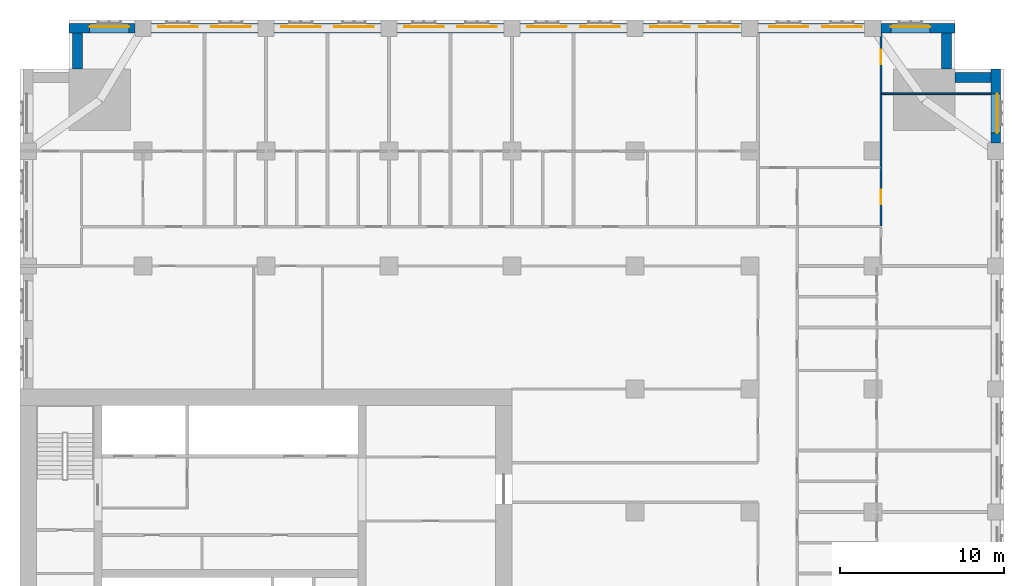
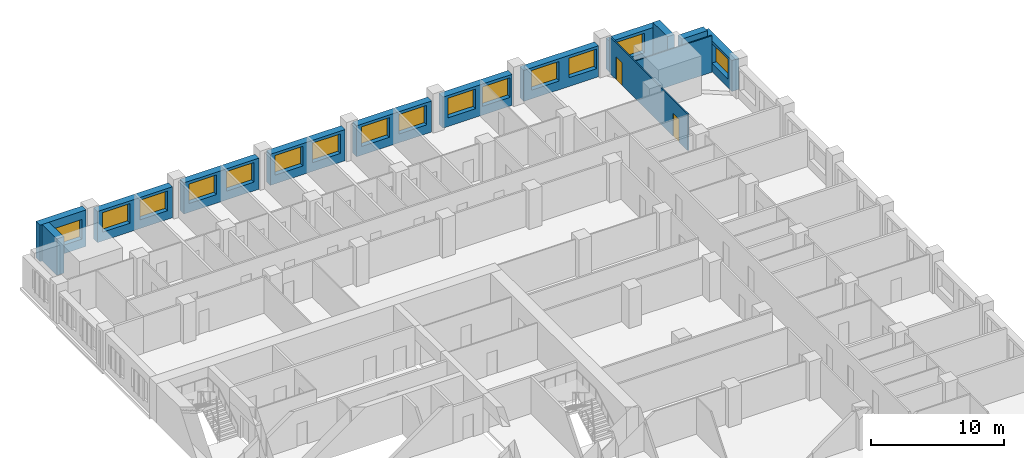
# One storey, part 12 of 15: 15 windows, 14 walls, 2 doors, 17 openings.
"""IFC4 building model written with IfcOpenShell, lengths in metres."""

from ifc_helpers import new_model, si_unit, direction, frame, frame_2d, origin, place, context, subcontext, project, spatial, rectangle, extrude, material, layer, layer_set, type_object, element, fill, save


model = new_model("IFC4")

# Units and contexts
model_context = context("Model", 3, precision=1e-05, world=origin(), true_north=direction((0.0, 1.0)))
body_context = subcontext(model_context, "Body", "Model", "MODEL_VIEW")
ifc_project = project(units=[si_unit("LENGTHUNIT", "METRE"), si_unit("AREAUNIT", "SQUARE_METRE"), si_unit("VOLUMEUNIT", "CUBIC_METRE"), si_unit("PLANEANGLEUNIT", "RADIAN"), si_unit("MASSUNIT", "GRAM", prefix="KILO")], contexts=[model_context])

# Site, building, storey
site_placement = place(None, origin())
site = spatial("IfcSite", under=ifc_project, at=site_placement, CompositionType="ELEMENT")
building_placement = place(site_placement, origin())
building = spatial("IfcBuilding", under=site, at=building_placement, Name="Tamorin Gate", CompositionType="ELEMENT")
storey_placement = place(building_placement, frame((0.0, 0.0, 97.10009765625)))
storey = spatial("IfcBuildingStorey", under=building, at=storey_placement, Name="L23", CompositionType="ELEMENT", Elevation=97.10009765625)

# Wall, opening, window
ifc_material_1 = material(Name="Precast concrete C40/50", Category="concrete")
ifc_layer_1 = layer(ifc_material_1, 0.60009765625)
ifc_layer_set_1 = layer_set([ifc_layer_1], Name="Precast concrete C40/50")
wall_type_1 = type_object("IfcWallType", Name="Board-marked concrete facade panel 600", PredefinedType="SOLIDWALL", material=ifc_layer_set_1)
wall_1_placement = place(storey_placement, frame((89.5, 97.5, 0.0), z_axis=(0.0, 0.0, 1.0), x_axis=(0.0, 1.0, 0.0)))
wall_1 = element("IfcWall", 1, at=wall_1_placement, inside=storey, type_object=wall_type_1, Name="Facade panel", PredefinedType="SOLIDWALL", context=body_context, shape_type="SweptSolid", body=[
    extrude(rectangle(XDim=4.5, YDim=0.60009765625, at=frame_2d((2.25, 0.0))), origin(), (0.0, 0.0, 1.0), 2.849853515625),
])
opening_1_placement = place(wall_1_placement, frame((0.60009765625, 0.0, 0.800048828125)))
opening_1 = element("IfcOpeningElement", 2, at=opening_1_placement, cuts=wall_1, Name="Opening WN1", PredefinedType="OPENING", context=body_context, shape_type="SweptSolid", body=[
    extrude(rectangle(XDim=2.39990234375, YDim=1.800048828125, at=frame_2d((1.199951171875, 0.89990234375))), frame((0.0, 0.31005859375, 0.0), z_axis=(0.0, -1.0, 0.0), x_axis=(1.0, 0.0, 0.0)), (0.0, 0.0, 1.0), 0.6201171875),
])
ifc_material_2 = material(Name="Clear glass in aluminium frame", Category="aluminium")
window_type = type_object("IfcWindowType", Name="Deep-set window 2400x1800", PartitioningType="SINGLE_PANEL", PredefinedType="WINDOW", material=ifc_material_2)
window_1_placement = place(opening_1_placement, origin())
window_1 = element("IfcWindow", 3, at=window_1_placement, inside=storey, type_object=window_type, Name="Deep-set window", OverallHeight=1.800048828125, OverallWidth=2.39990234375, PartitioningType="SINGLE_PANEL", PredefinedType="WINDOW", context=body_context, shape_type="SweptSolid", body=[
    extrude(rectangle(XDim=2.39990234375, YDim=1.800048828125, at=frame_2d((1.199951171875, 0.89990234375))), frame((0.0, -0.070068359375, 0.0), z_axis=(0.0, -1.0, 0.0), x_axis=(1.0, 0.0, 0.0)), (0.0, 0.0, 1.0), 0.06005859375),
])
fill(opening_1, window_1)

# Walls
for number, where, z_axis, x_axis, name in (
    (4, (89.199951171875, 101.5, 0.0), (0.0, 0.0, 1.0), (-1.0, 0.0, 0.0), "Facade panel"),
    (5, (86.5, 102.0, 0.0), (0.0, 0.0, 1.0), (0.0, 1.0, 0.0), "Facade panel"),
):
    element("IfcWall", number, at=place(storey_placement, frame(where, z_axis=z_axis, x_axis=x_axis)), inside=storey, type_object=wall_type_1, Name=name, PredefinedType="SOLIDWALL", context=body_context, shape_type="SweptSolid", body=[
        extrude(rectangle(XDim=2.199951171875, YDim=0.60009765625, at=frame_2d((1.10009765625, 0.0))), origin(), (0.0, 0.0, 1.0), 3.349853515625),
    ])

# Wall, opening, window
wall_2_placement = place(storey_placement, frame((87.0, 104.5, 0.0), z_axis=(0.0, 0.0, 1.0), x_axis=(-1.0, 0.0, 0.0)))
wall_2 = element("IfcWall", 6, at=wall_2_placement, inside=storey, type_object=wall_type_1, Name="Facade panel", PredefinedType="SOLIDWALL", context=body_context, shape_type="SweptSolid", body=[
    extrude(rectangle(XDim=4.5, YDim=0.60009765625, at=frame_2d((2.25, 0.0))), origin(), (0.0, 0.0, 1.0), 2.849853515625),
])
opening_2_placement = place(wall_2_placement, frame((1.5, 0.0, 0.800048828125)))
opening_2 = element("IfcOpeningElement", 7, at=opening_2_placement, cuts=wall_2, Name="Opening WN1", PredefinedType="OPENING", context=body_context, shape_type="SweptSolid", body=[
    extrude(rectangle(XDim=2.39990234375, YDim=1.800048828125, at=frame_2d((1.199951171875, 0.89990234375))), frame((0.0, 0.31005859375, 0.0), z_axis=(0.0, -1.0, 0.0), x_axis=(1.0, 0.0, 0.0)), (0.0, 0.0, 1.0), 0.6201171875),
])
window_2_placement = place(opening_2_placement, origin())
window_2 = element("IfcWindow", 8, at=window_2_placement, inside=storey, type_object=window_type, Name="Deep-set window", OverallHeight=1.800048828125, OverallWidth=2.39990234375, PartitioningType="SINGLE_PANEL", PredefinedType="WINDOW", context=body_context, shape_type="SweptSolid", body=[
    extrude(rectangle(XDim=2.39990234375, YDim=1.800048828125, at=frame_2d((1.199951171875, 0.89990234375))), frame((0.0, -0.070068359375, 0.0), z_axis=(0.0, -1.0, 0.0), x_axis=(1.0, 0.0, 0.0)), (0.0, 0.0, 1.0), 0.06005859375),
])
fill(opening_2, window_2)

# Wall, openings, windows
wall_3_placement = place(storey_placement, frame((81.5, 104.5, 0.0), z_axis=(0.0, 0.0, 1.0), x_axis=(-1.0, 0.0, 0.0)))
wall_3 = element("IfcWall", 9, at=wall_3_placement, inside=storey, type_object=wall_type_1, Name="Facade panel", PredefinedType="SOLIDWALL", context=body_context, shape_type="SweptSolid", body=[
    extrude(rectangle(XDim=6.5, YDim=0.60009765625, at=frame_2d((3.25, 0.0))), origin(), (0.0, 0.0, 1.0), 2.849853515625),
])
opening_3_placement = place(wall_3_placement, frame((3.425048828125, 0.0, 0.800048828125)))
opening_3 = element("IfcOpeningElement", 10, at=opening_3_placement, cuts=wall_3, Name="Opening WN1", PredefinedType="OPENING", context=body_context, shape_type="SweptSolid", body=[
    extrude(rectangle(XDim=2.39990234375, YDim=1.800048828125, at=frame_2d((1.199951171875, 0.89990234375))), frame((0.0, 0.31005859375, 0.0), z_axis=(0.0, -1.0, 0.0), x_axis=(1.0, 0.0, 0.0)), (0.0, 0.0, 1.0), 0.6201171875),
])
opening_4_placement = place(wall_3_placement, frame((0.175048828125, 0.0, 0.800048828125)))
opening_4 = element("IfcOpeningElement", 11, at=opening_4_placement, cuts=wall_3, Name="Opening WN1", PredefinedType="OPENING", context=body_context, shape_type="SweptSolid", body=[
    extrude(rectangle(XDim=2.39990234375, YDim=1.800048828125, at=frame_2d((1.199951171875, 0.89990234375))), frame((0.0, 0.31005859375, 0.0), z_axis=(0.0, -1.0, 0.0), x_axis=(1.0, 0.0, 0.0)), (0.0, 0.0, 1.0), 0.6201171875),
])
window_3_placement = place(opening_3_placement, origin())
window_3 = element("IfcWindow", 12, at=window_3_placement, inside=storey, type_object=window_type, Name="Deep-set window", OverallHeight=1.800048828125, OverallWidth=2.39990234375, PartitioningType="SINGLE_PANEL", PredefinedType="WINDOW", context=body_context, shape_type="SweptSolid", body=[
    extrude(rectangle(XDim=2.39990234375, YDim=1.800048828125, at=frame_2d((1.199951171875, 0.89990234375))), frame((0.0, -0.070068359375, 0.0), z_axis=(0.0, -1.0, 0.0), x_axis=(1.0, 0.0, 0.0)), (0.0, 0.0, 1.0), 0.06005859375),
])
fill(opening_3, window_3)
window_4_placement = place(opening_4_placement, origin())
window_4 = element("IfcWindow", 13, at=window_4_placement, inside=storey, type_object=window_type, Name="Deep-set window", OverallHeight=1.800048828125, OverallWidth=2.39990234375, PartitioningType="SINGLE_PANEL", PredefinedType="WINDOW", context=body_context, shape_type="SweptSolid", body=[
    extrude(rectangle(XDim=2.39990234375, YDim=1.800048828125, at=frame_2d((1.199951171875, 0.89990234375))), frame((0.0, -0.070068359375, 0.0), z_axis=(0.0, -1.0, 0.0), x_axis=(1.0, 0.0, 0.0)), (0.0, 0.0, 1.0), 0.06005859375),
])
fill(opening_4, window_4)

wall_4_placement = place(storey_placement, frame((74.0, 104.5, 0.0), z_axis=(0.0, 0.0, 1.0), x_axis=(-1.0, 0.0, 0.0)))
wall_4 = element("IfcWall", 14, at=wall_4_placement, inside=storey, type_object=wall_type_1, Name="Facade panel", PredefinedType="SOLIDWALL", context=body_context, shape_type="SweptSolid", body=[
    extrude(rectangle(XDim=6.0, YDim=0.60009765625, at=frame_2d((3.0, 0.0))), origin(), (0.0, 0.0, 1.0), 2.849853515625),
])
opening_5_placement = place(wall_4_placement, frame((3.175048828125, 0.0, 0.800048828125)))
opening_5 = element("IfcOpeningElement", 15, at=opening_5_placement, cuts=wall_4, Name="Opening WN1", PredefinedType="OPENING", context=body_context, shape_type="SweptSolid", body=[
    extrude(rectangle(XDim=2.39990234375, YDim=1.800048828125, at=frame_2d((1.199951171875, 0.89990234375))), frame((0.0, 0.31005859375, 0.0), z_axis=(0.0, -1.0, 0.0), x_axis=(1.0, 0.0, 0.0)), (0.0, 0.0, 1.0), 0.6201171875),
])
opening_6_placement = place(wall_4_placement, frame((0.175048828125, 0.0, 0.800048828125)))
opening_6 = element("IfcOpeningElement", 16, at=opening_6_placement, cuts=wall_4, Name="Opening WN1", PredefinedType="OPENING", context=body_context, shape_type="SweptSolid", body=[
    extrude(rectangle(XDim=2.39990234375, YDim=1.800048828125, at=frame_2d((1.199951171875, 0.89990234375))), frame((0.0, 0.31005859375, 0.0), z_axis=(0.0, -1.0, 0.0), x_axis=(1.0, 0.0, 0.0)), (0.0, 0.0, 1.0), 0.6201171875),
])
window_5_placement = place(opening_5_placement, origin())
window_5 = element("IfcWindow", 17, at=window_5_placement, inside=storey, type_object=window_type, Name="Deep-set window", OverallHeight=1.800048828125, OverallWidth=2.39990234375, PartitioningType="SINGLE_PANEL", PredefinedType="WINDOW", context=body_context, shape_type="SweptSolid", body=[
    extrude(rectangle(XDim=2.39990234375, YDim=1.800048828125, at=frame_2d((1.199951171875, 0.89990234375))), frame((0.0, -0.070068359375, 0.0), z_axis=(0.0, -1.0, 0.0), x_axis=(1.0, 0.0, 0.0)), (0.0, 0.0, 1.0), 0.06005859375),
])
fill(opening_5, window_5)
window_6_placement = place(opening_6_placement, origin())
window_6 = element("IfcWindow", 18, at=window_6_placement, inside=storey, type_object=window_type, Name="Deep-set window", OverallHeight=1.800048828125, OverallWidth=2.39990234375, PartitioningType="SINGLE_PANEL", PredefinedType="WINDOW", context=body_context, shape_type="SweptSolid", body=[
    extrude(rectangle(XDim=2.39990234375, YDim=1.800048828125, at=frame_2d((1.199951171875, 0.89990234375))), frame((0.0, -0.070068359375, 0.0), z_axis=(0.0, -1.0, 0.0), x_axis=(1.0, 0.0, 0.0)), (0.0, 0.0, 1.0), 0.06005859375),
])
fill(opening_6, window_6)

wall_5_placement = place(storey_placement, frame((67.0, 104.5, 0.0), z_axis=(0.0, 0.0, 1.0), x_axis=(-1.0, 0.0, 0.0)))
wall_5 = element("IfcWall", 19, at=wall_5_placement, inside=storey, type_object=wall_type_1, Name="Facade panel", PredefinedType="SOLIDWALL", context=body_context, shape_type="SweptSolid", body=[
    extrude(rectangle(XDim=6.5, YDim=0.60009765625, at=frame_2d((3.25, 0.0))), origin(), (0.0, 0.0, 1.0), 2.849853515625),
])
opening_7_placement = place(wall_5_placement, frame((3.675048828125, 0.0, 0.800048828125)))
opening_7 = element("IfcOpeningElement", 20, at=opening_7_placement, cuts=wall_5, Name="Opening WN1", PredefinedType="OPENING", context=body_context, shape_type="SweptSolid", body=[
    extrude(rectangle(XDim=2.39990234375, YDim=1.800048828125, at=frame_2d((1.199951171875, 0.89990234375))), frame((0.0, 0.31005859375, 0.0), z_axis=(0.0, -1.0, 0.0), x_axis=(1.0, 0.0, 0.0)), (0.0, 0.0, 1.0), 0.6201171875),
])
opening_8_placement = place(wall_5_placement, frame((0.425048828125, 0.0, 0.800048828125)))
opening_8 = element("IfcOpeningElement", 21, at=opening_8_placement, cuts=wall_5, Name="Opening WN1", PredefinedType="OPENING", context=body_context, shape_type="SweptSolid", body=[
    extrude(rectangle(XDim=2.39990234375, YDim=1.800048828125, at=frame_2d((1.199951171875, 0.89990234375))), frame((0.0, 0.31005859375, 0.0), z_axis=(0.0, -1.0, 0.0), x_axis=(1.0, 0.0, 0.0)), (0.0, 0.0, 1.0), 0.6201171875),
])
window_7_placement = place(opening_7_placement, origin())
window_7 = element("IfcWindow", 22, at=window_7_placement, inside=storey, type_object=window_type, Name="Deep-set window", OverallHeight=1.800048828125, OverallWidth=2.39990234375, PartitioningType="SINGLE_PANEL", PredefinedType="WINDOW", context=body_context, shape_type="SweptSolid", body=[
    extrude(rectangle(XDim=2.39990234375, YDim=1.800048828125, at=frame_2d((1.199951171875, 0.89990234375))), frame((0.0, -0.070068359375, 0.0), z_axis=(0.0, -1.0, 0.0), x_axis=(1.0, 0.0, 0.0)), (0.0, 0.0, 1.0), 0.06005859375),
])
fill(opening_7, window_7)
window_8_placement = place(opening_8_placement, origin())
window_8 = element("IfcWindow", 23, at=window_8_placement, inside=storey, type_object=window_type, Name="Deep-set window", OverallHeight=1.800048828125, OverallWidth=2.39990234375, PartitioningType="SINGLE_PANEL", PredefinedType="WINDOW", context=body_context, shape_type="SweptSolid", body=[
    extrude(rectangle(XDim=2.39990234375, YDim=1.800048828125, at=frame_2d((1.199951171875, 0.89990234375))), frame((0.0, -0.070068359375, 0.0), z_axis=(0.0, -1.0, 0.0), x_axis=(1.0, 0.0, 0.0)), (0.0, 0.0, 1.0), 0.06005859375),
])
fill(opening_8, window_8)

wall_6_placement = place(storey_placement, frame((59.5, 104.5, 0.0), z_axis=(0.0, 0.0, 1.0), x_axis=(-1.0, 0.0, 0.0)))
wall_6 = element("IfcWall", 24, at=wall_6_placement, inside=storey, type_object=wall_type_1, Name="Facade panel", PredefinedType="SOLIDWALL", context=body_context, shape_type="SweptSolid", body=[
    extrude(rectangle(XDim=6.5, YDim=0.60009765625, at=frame_2d((3.25, 0.0))), origin(), (0.0, 0.0, 1.0), 2.849853515625),
])
opening_9_placement = place(wall_6_placement, frame((3.675048828125, 0.0, 0.800048828125)))
opening_9 = element("IfcOpeningElement", 25, at=opening_9_placement, cuts=wall_6, Name="Opening WN1", PredefinedType="OPENING", context=body_context, shape_type="SweptSolid", body=[
    extrude(rectangle(XDim=2.39990234375, YDim=1.800048828125, at=frame_2d((1.199951171875, 0.89990234375))), frame((0.0, 0.31005859375, 0.0), z_axis=(0.0, -1.0, 0.0), x_axis=(1.0, 0.0, 0.0)), (0.0, 0.0, 1.0), 0.6201171875),
])
opening_10_placement = place(wall_6_placement, frame((0.425048828125, 0.0, 0.800048828125)))
opening_10 = element("IfcOpeningElement", 26, at=opening_10_placement, cuts=wall_6, Name="Opening WN1", PredefinedType="OPENING", context=body_context, shape_type="SweptSolid", body=[
    extrude(rectangle(XDim=2.39990234375, YDim=1.800048828125, at=frame_2d((1.199951171875, 0.89990234375))), frame((0.0, 0.31005859375, 0.0), z_axis=(0.0, -1.0, 0.0), x_axis=(1.0, 0.0, 0.0)), (0.0, 0.0, 1.0), 0.6201171875),
])
window_9_placement = place(opening_9_placement, origin())
window_9 = element("IfcWindow", 27, at=window_9_placement, inside=storey, type_object=window_type, Name="Deep-set window", OverallHeight=1.800048828125, OverallWidth=2.39990234375, PartitioningType="SINGLE_PANEL", PredefinedType="WINDOW", context=body_context, shape_type="SweptSolid", body=[
    extrude(rectangle(XDim=2.39990234375, YDim=1.800048828125, at=frame_2d((1.199951171875, 0.89990234375))), frame((0.0, -0.070068359375, 0.0), z_axis=(0.0, -1.0, 0.0), x_axis=(1.0, 0.0, 0.0)), (0.0, 0.0, 1.0), 0.06005859375),
])
fill(opening_9, window_9)
window_10_placement = place(opening_10_placement, origin())
window_10 = element("IfcWindow", 28, at=window_10_placement, inside=storey, type_object=window_type, Name="Deep-set window", OverallHeight=1.800048828125, OverallWidth=2.39990234375, PartitioningType="SINGLE_PANEL", PredefinedType="WINDOW", context=body_context, shape_type="SweptSolid", body=[
    extrude(rectangle(XDim=2.39990234375, YDim=1.800048828125, at=frame_2d((1.199951171875, 0.89990234375))), frame((0.0, -0.070068359375, 0.0), z_axis=(0.0, -1.0, 0.0), x_axis=(1.0, 0.0, 0.0)), (0.0, 0.0, 1.0), 0.06005859375),
])
fill(opening_10, window_10)

wall_7_placement = place(storey_placement, frame((52.0, 104.5, 0.0), z_axis=(0.0, 0.0, 1.0), x_axis=(-1.0, 0.0, 0.0)))
wall_7 = element("IfcWall", 29, at=wall_7_placement, inside=storey, type_object=wall_type_1, Name="Facade panel", PredefinedType="SOLIDWALL", context=body_context, shape_type="SweptSolid", body=[
    extrude(rectangle(XDim=6.5, YDim=0.60009765625, at=frame_2d((3.25, 0.0))), origin(), (0.0, 0.0, 1.0), 2.849853515625),
])
opening_11_placement = place(wall_7_placement, frame((3.675048828125, 0.0, 0.800048828125)))
opening_11 = element("IfcOpeningElement", 30, at=opening_11_placement, cuts=wall_7, Name="Opening WN1", PredefinedType="OPENING", context=body_context, shape_type="SweptSolid", body=[
    extrude(rectangle(XDim=2.39990234375, YDim=1.800048828125, at=frame_2d((1.199951171875, 0.89990234375))), frame((0.0, 0.31005859375, 0.0), z_axis=(0.0, -1.0, 0.0), x_axis=(1.0, 0.0, 0.0)), (0.0, 0.0, 1.0), 0.6201171875),
])
opening_12_placement = place(wall_7_placement, frame((0.425048828125, 0.0, 0.800048828125)))
opening_12 = element("IfcOpeningElement", 31, at=opening_12_placement, cuts=wall_7, Name="Opening WN1", PredefinedType="OPENING", context=body_context, shape_type="SweptSolid", body=[
    extrude(rectangle(XDim=2.39990234375, YDim=1.800048828125, at=frame_2d((1.199951171875, 0.89990234375))), frame((0.0, 0.31005859375, 0.0), z_axis=(0.0, -1.0, 0.0), x_axis=(1.0, 0.0, 0.0)), (0.0, 0.0, 1.0), 0.6201171875),
])
window_11_placement = place(opening_11_placement, origin())
window_11 = element("IfcWindow", 32, at=window_11_placement, inside=storey, type_object=window_type, Name="Deep-set window", OverallHeight=1.800048828125, OverallWidth=2.39990234375, PartitioningType="SINGLE_PANEL", PredefinedType="WINDOW", context=body_context, shape_type="SweptSolid", body=[
    extrude(rectangle(XDim=2.39990234375, YDim=1.800048828125, at=frame_2d((1.199951171875, 0.89990234375))), frame((0.0, -0.070068359375, 0.0), z_axis=(0.0, -1.0, 0.0), x_axis=(1.0, 0.0, 0.0)), (0.0, 0.0, 1.0), 0.06005859375),
])
fill(opening_11, window_11)
window_12_placement = place(opening_12_placement, origin())
window_12 = element("IfcWindow", 33, at=window_12_placement, inside=storey, type_object=window_type, Name="Deep-set window", OverallHeight=1.800048828125, OverallWidth=2.39990234375, PartitioningType="SINGLE_PANEL", PredefinedType="WINDOW", context=body_context, shape_type="SweptSolid", body=[
    extrude(rectangle(XDim=2.39990234375, YDim=1.800048828125, at=frame_2d((1.199951171875, 0.89990234375))), frame((0.0, -0.070068359375, 0.0), z_axis=(0.0, -1.0, 0.0), x_axis=(1.0, 0.0, 0.0)), (0.0, 0.0, 1.0), 0.06005859375),
])
fill(opening_12, window_12)

wall_8_placement = place(storey_placement, frame((44.5, 104.5, 0.0), z_axis=(0.0, 0.0, 1.0), x_axis=(-1.0, 0.0, 0.0)))
wall_8 = element("IfcWall", 34, at=wall_8_placement, inside=storey, type_object=wall_type_1, Name="Facade panel", PredefinedType="SOLIDWALL", context=body_context, shape_type="SweptSolid", body=[
    extrude(rectangle(XDim=6.5, YDim=0.60009765625, at=frame_2d((3.25, 0.0))), origin(), (0.0, 0.0, 1.0), 2.849853515625),
])
opening_13_placement = place(wall_8_placement, frame((3.675048828125, 0.0, 0.800048828125)))
opening_13 = element("IfcOpeningElement", 35, at=opening_13_placement, cuts=wall_8, Name="Opening WN1", PredefinedType="OPENING", context=body_context, shape_type="SweptSolid", body=[
    extrude(rectangle(XDim=2.39990234375, YDim=1.800048828125, at=frame_2d((1.199951171875, 0.89990234375))), frame((0.0, 0.31005859375, 0.0), z_axis=(0.0, -1.0, 0.0), x_axis=(1.0, 0.0, 0.0)), (0.0, 0.0, 1.0), 0.6201171875),
])
opening_14_placement = place(wall_8_placement, frame((0.425048828125, 0.0, 0.800048828125)))
opening_14 = element("IfcOpeningElement", 36, at=opening_14_placement, cuts=wall_8, Name="Opening WN1", PredefinedType="OPENING", context=body_context, shape_type="SweptSolid", body=[
    extrude(rectangle(XDim=2.39990234375, YDim=1.800048828125, at=frame_2d((1.199951171875, 0.89990234375))), frame((0.0, 0.31005859375, 0.0), z_axis=(0.0, -1.0, 0.0), x_axis=(1.0, 0.0, 0.0)), (0.0, 0.0, 1.0), 0.6201171875),
])
window_13_placement = place(opening_13_placement, origin())
window_13 = element("IfcWindow", 37, at=window_13_placement, inside=storey, type_object=window_type, Name="Deep-set window", OverallHeight=1.800048828125, OverallWidth=2.39990234375, PartitioningType="SINGLE_PANEL", PredefinedType="WINDOW", context=body_context, shape_type="SweptSolid", body=[
    extrude(rectangle(XDim=2.39990234375, YDim=1.800048828125, at=frame_2d((1.199951171875, 0.89990234375))), frame((0.0, -0.070068359375, 0.0), z_axis=(0.0, -1.0, 0.0), x_axis=(1.0, 0.0, 0.0)), (0.0, 0.0, 1.0), 0.06005859375),
])
fill(opening_13, window_13)
window_14_placement = place(opening_14_placement, origin())
window_14 = element("IfcWindow", 38, at=window_14_placement, inside=storey, type_object=window_type, Name="Deep-set window", OverallHeight=1.800048828125, OverallWidth=2.39990234375, PartitioningType="SINGLE_PANEL", PredefinedType="WINDOW", context=body_context, shape_type="SweptSolid", body=[
    extrude(rectangle(XDim=2.39990234375, YDim=1.800048828125, at=frame_2d((1.199951171875, 0.89990234375))), frame((0.0, -0.070068359375, 0.0), z_axis=(0.0, -1.0, 0.0), x_axis=(1.0, 0.0, 0.0)), (0.0, 0.0, 1.0), 0.06005859375),
])
fill(opening_14, window_14)

# Wall, opening, window
wall_9_placement = place(storey_placement, frame((37.0, 104.5, 0.0), z_axis=(0.0, 0.0, 1.0), x_axis=(-1.0, 0.0, 0.0)))
wall_9 = element("IfcWall", 39, at=wall_9_placement, inside=storey, type_object=wall_type_1, Name="Facade panel", PredefinedType="SOLIDWALL", context=body_context, shape_type="SweptSolid", body=[
    extrude(rectangle(XDim=4.0, YDim=0.60009765625, at=frame_2d((2.0, 0.0))), origin(), (0.0, 0.0, 1.0), 3.349853515625),
])
opening_15_placement = place(wall_9_placement, frame((0.35009765625, 0.0, 0.800048828125)))
opening_15 = element("IfcOpeningElement", 40, at=opening_15_placement, cuts=wall_9, Name="Opening WN1", PredefinedType="OPENING", context=body_context, shape_type="SweptSolid", body=[
    extrude(rectangle(XDim=2.39990234375, YDim=1.800048828125, at=frame_2d((1.199951171875, 0.89990234375))), frame((0.0, 0.31005859375, 0.0), z_axis=(0.0, -1.0, 0.0), x_axis=(1.0, 0.0, 0.0)), (0.0, 0.0, 1.0), 0.6201171875),
])
window_15_placement = place(opening_15_placement, origin())
window_15 = element("IfcWindow", 41, at=window_15_placement, inside=storey, type_object=window_type, Name="Deep-set window", OverallHeight=1.800048828125, OverallWidth=2.39990234375, PartitioningType="SINGLE_PANEL", PredefinedType="WINDOW", context=body_context, shape_type="SweptSolid", body=[
    extrude(rectangle(XDim=2.39990234375, YDim=1.800048828125, at=frame_2d((1.199951171875, 0.89990234375))), frame((0.0, -0.070068359375, 0.0), z_axis=(0.0, -1.0, 0.0), x_axis=(1.0, 0.0, 0.0)), (0.0, 0.0, 1.0), 0.06005859375),
])
fill(opening_15, window_15)

# Walls
wall_10_placement = place(storey_placement, frame((33.5, 104.199951171875, 0.0), z_axis=(0.0, 0.0, 1.0), x_axis=(0.0, -1.0, 0.0)))
element("IfcWall", 42, at=wall_10_placement, inside=storey, type_object=wall_type_1, Name="Facade panel", PredefinedType="SOLIDWALL", context=body_context, shape_type="SweptSolid", body=[
    extrude(rectangle(XDim=2.199951171875, YDim=0.60009765625, at=frame_2d((1.10009765625, 0.0))), origin(), (0.0, 0.0, 1.0), 3.349853515625),
])
ifc_material_3 = material(Name="Gypsum board partition")
ifc_layer_2 = layer(ifc_material_3, 0.10009765625)
ifc_layer_set_2 = layer_set([ifc_layer_2], Name="Room partition 100")
wall_type_2 = type_object("IfcWallType", Name="Room partition 100", PredefinedType="PARTITIONING", material=ifc_layer_set_2)
wall_11_placement = place(storey_placement, frame((82.550048828125, 100.5, 0.0), z_axis=(0.0, 0.0, 1.0), x_axis=(1.0, 0.0, 0.0)))
element("IfcWall", 43, at=wall_11_placement, inside=storey, type_object=wall_type_2, Name="Room partition 100", PredefinedType="PARTITIONING", context=body_context, shape_type="SweptSolid", body=[
    extrude(rectangle(XDim=6.639892578125, YDim=0.10009765625, at=frame_2d((3.31982421875, 0.0))), origin(), (0.0, 0.0, 1.0), 3.349853515625),
])

# Wall, openings, doors
wall_12_placement = place(storey_placement, frame((82.5, 92.46240234375, 0.0), z_axis=(0.0, 0.0, 1.0), x_axis=(0.0, 1.0, 0.0)))
wall_12 = element("IfcWall", 44, at=wall_12_placement, inside=storey, type_object=wall_type_2, Name="Room partition 100", PredefinedType="PARTITIONING", context=body_context, shape_type="SweptSolid", body=[
    extrude(rectangle(XDim=11.7275390625, YDim=0.10009765625, at=frame_2d((5.86376953125, 0.0))), origin(), (0.0, 0.0, 1.0), 3.349853515625),
])
opening_16_placement = place(wall_12_placement, frame((9.83740234375, 0.0, 0.0)))
opening_16 = element("IfcOpeningElement", 45, at=opening_16_placement, cuts=wall_12, Name="Opening DH6083", PredefinedType="OPENING", context=body_context, shape_type="SweptSolid", body=[
    extrude(rectangle(XDim=0.89990234375, YDim=2.10009765625, at=frame_2d((0.449951171875, 1.050048828125))), frame((0.0, 0.06005859375, 0.0), z_axis=(0.0, -1.0, 0.0), x_axis=(1.0, 0.0, 0.0)), (0.0, 0.0, 1.0), 0.1201171875),
])
opening_17_placement = place(wall_12_placement, frame((1.28759765625, 0.0, 0.0)))
opening_17 = element("IfcOpeningElement", 46, at=opening_17_placement, cuts=wall_12, Name="Opening DH6084", PredefinedType="OPENING", context=body_context, shape_type="SweptSolid", body=[
    extrude(rectangle(XDim=0.89990234375, YDim=2.10009765625, at=frame_2d((0.449951171875, 1.050048828125))), frame((0.0, 0.06005859375, 0.0), z_axis=(0.0, -1.0, 0.0), x_axis=(1.0, 0.0, 0.0)), (0.0, 0.0, 1.0), 0.1201171875),
])
ifc_material_4 = material(Name="Timber door leaf", Category="wood")
door_type = type_object("IfcDoorType", Name="Door 900 x 2100", OperationType="NOTDEFINED", PredefinedType="DOOR", material=ifc_material_4)
door_1_placement = place(opening_16_placement, origin())
door_1 = element("IfcDoor", 47, at=door_1_placement, inside=storey, type_object=door_type, Name="Door DH6083", OperationType="SINGLE_SWING_LEFT", OverallHeight=2.10009765625, OverallWidth=0.89990234375, PredefinedType="DOOR", context=body_context, shape_type="SweptSolid", body=[
    extrude(rectangle(XDim=0.89990234375, YDim=2.10009765625, at=frame_2d((0.449951171875, 1.050048828125))), frame((0.0, 0.02490234375, 0.0), z_axis=(0.0, -1.0, 0.0), x_axis=(1.0, 0.0, 0.0)), (0.0, 0.0, 1.0), 0.050048828125),
])
fill(opening_16, door_1)
door_2_placement = place(opening_17_placement, origin())
door_2 = element("IfcDoor", 48, at=door_2_placement, inside=storey, type_object=door_type, Name="Door DH6084", OperationType="SINGLE_SWING_RIGHT", OverallHeight=2.10009765625, OverallWidth=0.89990234375, PredefinedType="DOOR", context=body_context, shape_type="SweptSolid", body=[
    extrude(rectangle(XDim=0.89990234375, YDim=2.10009765625, at=frame_2d((0.449951171875, 1.050048828125))), frame((0.0, 0.02490234375, 0.0), z_axis=(0.0, -1.0, 0.0), x_axis=(1.0, 0.0, 0.0)), (0.0, 0.0, 1.0), 0.050048828125),
])
fill(opening_17, door_2)

save(model, "model.ifc")
